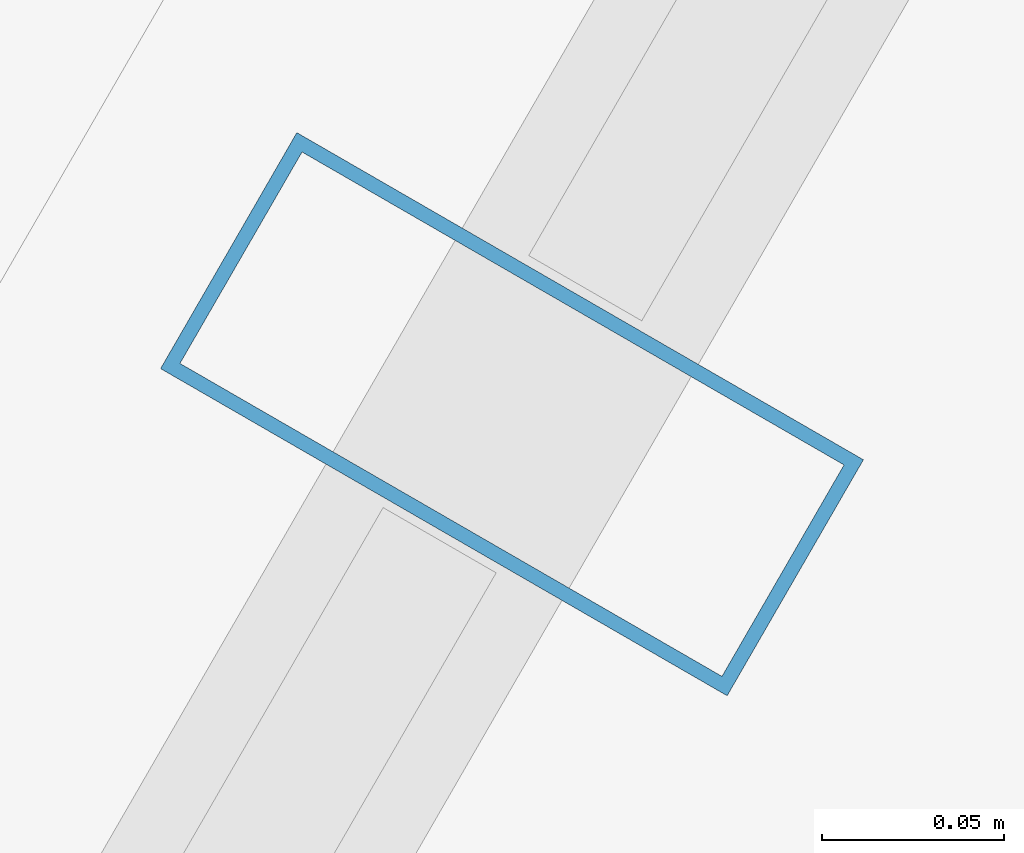
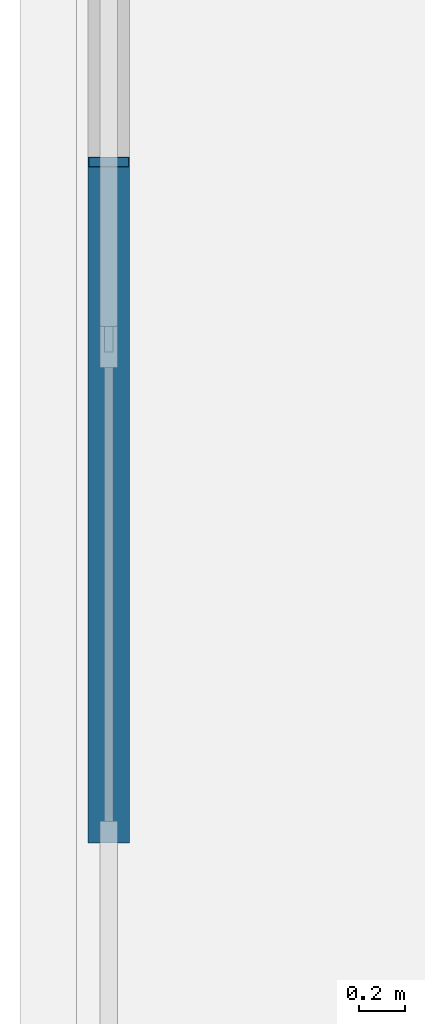
# One storey, part 14 of 33: 1 member, 1 element without a shape of its own.
"""IFC4 building model written with IfcOpenShell, lengths in metres."""

from ifc_helpers import new_model, si_unit, direction, frame, origin, origin_2d, place, context, subcontext, project, spatial, hollow_rectangle, extrude, material, layer, layer_set, material_profile, profile_set, type_object, element, aggregate, save


model = new_model("IFC4")

# Units and contexts
model_context = context("Model", 3, precision=1e-05, world=origin(), true_north=direction((0.0, 1.0)))
body_context = subcontext(model_context, "Body", "Model", "MODEL_VIEW")
ifc_project = project(units=[si_unit("LENGTHUNIT", "METRE"), si_unit("AREAUNIT", "SQUARE_METRE"), si_unit("VOLUMEUNIT", "CUBIC_METRE"), si_unit("PLANEANGLEUNIT", "RADIAN"), si_unit("MASSUNIT", "GRAM", prefix="KILO")], contexts=[model_context])

# Site, building, storey
site_placement = place(None, origin())
site = spatial("IfcSite", under=ifc_project, at=site_placement, CompositionType="ELEMENT")
building_placement = place(site_placement, origin())
building = spatial("IfcBuilding", under=site, at=building_placement, Name="Ndaravel Arena Tower", CompositionType="ELEMENT")
storey_placement = place(building_placement, frame((0.0, 0.0, 149.800048828125)))
storey = spatial("IfcBuildingStorey", under=building, at=storey_placement, Name="L35", CompositionType="ELEMENT", Elevation=149.800048828125)

# Curtain wall, member
ifc_material_1 = material(Name="Aluminium", Category="aluminium")
ifc_layer = layer(ifc_material_1, 0.179931640625)
ifc_layer_set = layer_set([ifc_layer], Name="Aluminium")
curtain_wall_type = type_object("IfcCurtainWallType", Name="CW-SYS-03", PredefinedType="NOTDEFINED", material=ifc_layer_set)
curtain_wall_placement = place(storey_placement, origin())
curtain_wall = element("IfcCurtainWall", 1, at=curtain_wall_placement, inside=storey, type_object=curtain_wall_type, Name="L35 Faceted Crystal Curtain Wall CW-L35-E05", PredefinedType="NOTDEFINED")
ifc_material_2 = material(Name="Aluminium", Category="aluminium")
ifc_material_profile = material_profile(ifc_material_2, hollow_rectangle(XDim=0.074951171875, YDim=0.179931640625, WallThickness=0.00390625, at=origin_2d()), Name="CW MULLION 75x180x4")
ifc_profile_set = profile_set([ifc_material_profile], Name="Aluminium")
member_type = type_object("IfcMemberType", Name="MEM-CW-MUL180", PredefinedType="MULLION", material=ifc_profile_set)
member_placement = place(storey_placement, frame((29.629638671875, 34.4130859375, 0.0), z_axis=(0.0, 0.0, 1.0), x_axis=(-0.5, -0.866025403784, 0.0)))
member = element("IfcMember", 2, at=member_placement, type_object=member_type, Name="CW-L35-E05 Mullion 03", PredefinedType="MULLION", context=body_context, shape_type="SweptSolid", body=[
    extrude(hollow_rectangle(XDim=0.074951171875, YDim=0.179931640625, WallThickness=0.00390625, at=origin_2d()), origin(), (0.0, 0.0, 1.0), 3.579833984375),
])
aggregate(curtain_wall, [member])

save(model, "model.ifc")
